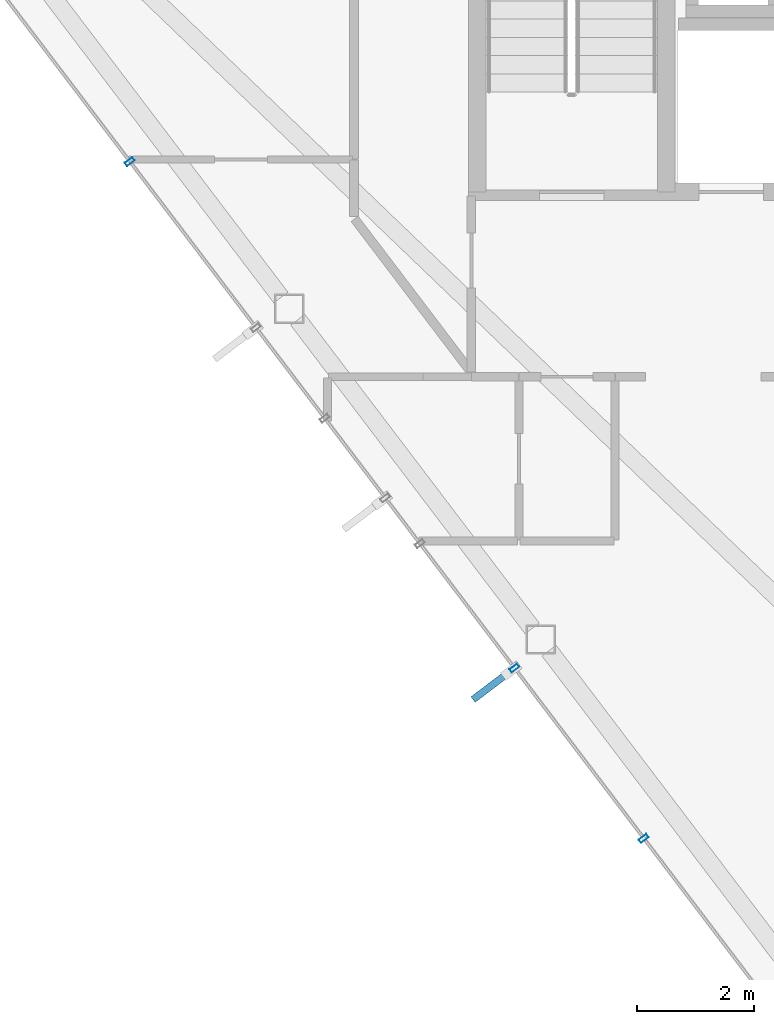
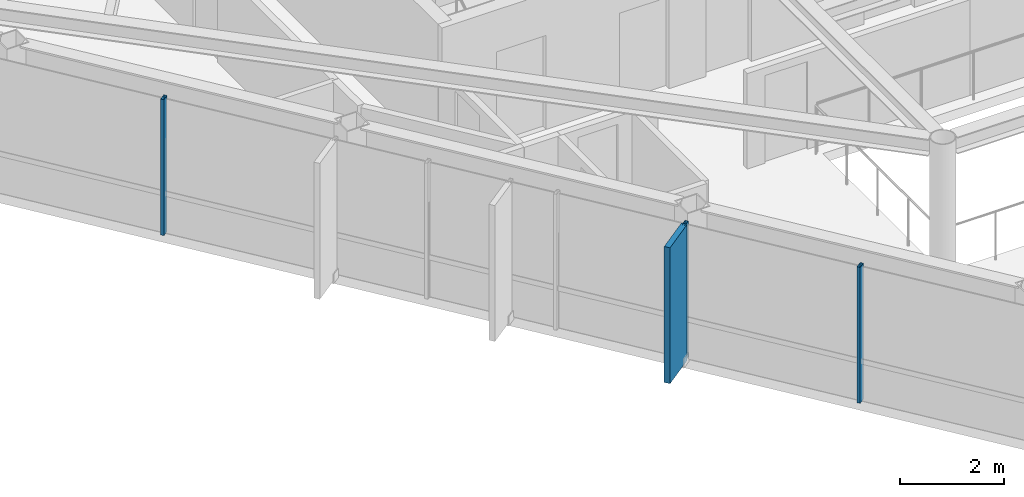
# One storey, part 2 of 24: 4 members, 1 element without a shape of its own.
"""IFC4 building model written with IfcOpenShell, lengths in metres."""

import ifcopenshell
import ifcopenshell.guid

model = None  # the IFC model being written
_history = None  # IfcOwnerHistory: only IFC2X3 demands one
_inside = {}  # id of a spatial element -> (the spatial element, [elements in it])
_under = {}  # id of a project, library or spatial element -> (it, [spatial elements below it])
_declared = {}  # id of a project -> (the project, [libraries it declares])
_typed = {}  # id of a type object -> (the type object, [elements of that type])
_made_of = {}  # id of a material, layer set ... -> (it, [elements and type objects made of it])


def new_model(schema):
    """Start an empty IFC model of exactly this schema.

    Asked for "IFC4X3", IfcOpenShell would pick the latest addendum, in which some entities
    have other attributes; the version numbers below select the first issue.
    IFC2X3 requires an IfcOwnerHistory on every rooted entity: one is made here for all.
    """
    global model, _history
    if schema == "IFC4X3":
        model = ifcopenshell.file(schema_version=(4, 3, 0, 0))
    else:
        model = ifcopenshell.file(schema=schema)
    _inside.clear()
    _under.clear()
    _declared.clear()
    _typed.clear()
    _made_of.clear()
    _history = None
    if model.schema == "IFC2X3":
        org = make("IfcOrganization", Name="unknown")
        user = make(
            "IfcPersonAndOrganization",
            ThePerson=make("IfcPerson", FamilyName="unknown"),
            TheOrganization=org,
        )
        app = make(
            "IfcApplication",
            ApplicationDeveloper=org,
            Version="unknown",
            ApplicationFullName="unknown",
            ApplicationIdentifier="unknown",
        )
        _history = make(
            "IfcOwnerHistory",
            OwningUser=user,
            OwningApplication=app,
            ChangeAction="ADDED",
            CreationDate=0,
        )
    return model


def make(cls, **values):
    """One entity of the class cls with the attributes given. An attribute that is None is left unset."""
    return model.create_entity(
        cls, **{name: value for name, value in values.items() if value is not None}
    )


def rooted(cls, **values):
    """An entity with a GlobalId (a new one), such as an element, a storey or a relation."""
    return make(cls, GlobalId=ifcopenshell.guid.new(), OwnerHistory=_history, **values)


def si_unit(unit_type, name, prefix=None):
    """IfcSIUnit, for example si_unit("LENGTHUNIT", "METRE", prefix="MILLI")."""
    return make("IfcSIUnit", UnitType=unit_type, Prefix=prefix, Name=name)


def assignment(units):
    """IfcUnitAssignment: the units of a project."""
    return None if units is None else make("IfcUnitAssignment", Units=units)


def point(xyz):
    """IfcCartesianPoint."""
    return None if xyz is None else make("IfcCartesianPoint", Coordinates=xyz)


def direction(xyz):
    """IfcDirection."""
    return None if xyz is None else make("IfcDirection", DirectionRatios=xyz)


def frame(location, z_axis=None, x_axis=None):
    """IfcAxis2Placement3D, a coordinate frame: its origin and axes. An axis left out is left unset."""
    return make(
        "IfcAxis2Placement3D",
        Location=point(location),
        Axis=direction(z_axis),
        RefDirection=direction(x_axis),
    )


def frame_2d(location, x_axis=None):
    """IfcAxis2Placement2D, a coordinate frame in the plane: its origin and x axis."""
    return make(
        "IfcAxis2Placement2D", Location=point(location), RefDirection=direction(x_axis)
    )


def origin():
    """The frame at (0, 0, 0) with its axes left unset."""
    return frame((0.0, 0.0, 0.0))


def origin_2d():
    """The frame at (0, 0) in the plane with its x axis left unset."""
    return frame_2d((0.0, 0.0))


def place(relative_to, where):
    """IfcLocalPlacement: puts the frame where relative to a parent placement (None: the world)."""
    return make(
        "IfcLocalPlacement", PlacementRelTo=relative_to, RelativePlacement=where
    )


def context(
    kind, dimensions, precision=None, world=None, true_north=None, identifier=None
):
    """IfcGeometricRepresentationContext, for example the 3D "Model" context."""
    return make(
        "IfcGeometricRepresentationContext",
        ContextIdentifier=identifier,
        ContextType=kind,
        CoordinateSpaceDimension=dimensions,
        Precision=precision,
        WorldCoordinateSystem=world,
        TrueNorth=true_north,
    )


def subcontext(parent, identifier, kind, view, scale=None):
    """IfcGeometricRepresentationSubContext, for example "Body" below "Model"."""
    return make(
        "IfcGeometricRepresentationSubContext",
        ContextIdentifier=identifier,
        ContextType=kind,
        ParentContext=parent,
        TargetScale=scale,
        TargetView=view,
    )


def project(units=None, contexts=None):
    """IfcProject with its units and contexts."""
    return rooted(
        "IfcProject",
        Name="project",
        RepresentationContexts=contexts,
        UnitsInContext=assignment(units),
    )


def spatial(cls, under=None, at=None, **own):
    """A site, building, storey or space (cls), placed at a placement, below another one or the project."""
    s = rooted(cls, ObjectPlacement=at, **own)
    if under is not None:
        _under.setdefault(under.id(), (under, []))[1].append(s)
    return s


def profile(cls, at=None, kind="AREA", **sizes):
    """A parametric profile (cls). Its sizes go by their IFC names, for example OverallWidth=200.0."""
    return make(cls, ProfileType=kind, Position=at, **sizes)


def rectangle(**sizes):
    """IfcRectangleProfileDef."""
    return profile("IfcRectangleProfileDef", **sizes)


def hollow_rectangle(**sizes):
    """IfcRectangleHollowProfileDef."""
    return profile("IfcRectangleHollowProfileDef", **sizes)


def extrude(swept, where, along, depth):
    """IfcExtrudedAreaSolid: the profile swept, set in the frame where, extruded along a direction by depth."""
    return make(
        "IfcExtrudedAreaSolid",
        SweptArea=swept,
        Position=where,
        ExtrudedDirection=direction(along),
        Depth=depth,
    )


def shape(context_of_items, identifier, shape_type, items):
    """IfcShapeRepresentation: the items that make up one representation, for example the "Body"."""
    return make(
        "IfcShapeRepresentation",
        ContextOfItems=context_of_items,
        RepresentationIdentifier=identifier,
        RepresentationType=shape_type,
        Items=items,
    )


def material(Name=None, Category=None):
    """IfcMaterial."""
    return make("IfcMaterial", Name=Name, Category=Category)


def layer(
    of_material, thickness, ventilated=None, Name=None, Category=None, Priority=None
):
    """IfcMaterialLayer: one layer of a wall or slab, of a material (None: an air gap)."""
    return make(
        "IfcMaterialLayer",
        Material=of_material,
        LayerThickness=thickness,
        IsVentilated=ventilated,
        Name=Name,
        Category=Category,
        Priority=Priority,
    )


def layer_set(layers, Name=None):
    """IfcMaterialLayerSet."""
    return make("IfcMaterialLayerSet", MaterialLayers=layers, LayerSetName=Name)


def material_profile(
    of_material, cross_section, Name=None, Category=None, Priority=None
):
    """IfcMaterialProfile: a cross section and its material."""
    return make(
        "IfcMaterialProfile",
        Name=Name,
        Material=of_material,
        Profile=cross_section,
        Priority=Priority,
        Category=Category,
    )


def profile_set(profiles, Name=None, composite=None):
    """IfcMaterialProfileSet."""
    return make(
        "IfcMaterialProfileSet",
        Name=Name,
        MaterialProfiles=profiles,
        CompositeProfile=composite,
    )


def made_of(thing, what):
    """Note that an element or type object is made of a material, layer set ...; save() writes the relation."""
    if what is not None:
        _made_of.setdefault(what.id(), (what, []))[1].append(thing)
    return thing


def type_object(cls, material=None, **own):
    """A type object (cls), such as IfcWallType, which elements share."""
    return made_of(rooted(cls, **own), material)


def element(
    cls,
    number,
    at=None,
    inside=None,
    cuts=None,
    type_object=None,
    material=None,
    context=None,
    identifier="Body",
    shape_type=None,
    held_by="IfcProductDefinitionShape",
    body=None,
    shapes=None,
    **own,
):
    """One element of the class cls, such as IfcWall. Its Tag is "e" and its number.

    at: its placement. inside: the storey or other place that contains it. cuts: it is an
    opening in that element (IfcRelVoidsElement). A single representation is given by context,
    identifier, shape_type and body (its items); several are given by shapes. held_by: the class
    of the entity that holds the representations. save() writes the other relations.
    """
    e = rooted(cls, Tag="e%d" % number, ObjectPlacement=at, **own)
    if body is not None:
        shapes = [shape(context, identifier, shape_type, body)]
    if shapes is not None:
        e.Representation = make(held_by, Representations=shapes)
    if inside is not None:
        _inside.setdefault(inside.id(), (inside, []))[1].append(e)
    if cuts is not None:
        rooted(
            "IfcRelVoidsElement", RelatingBuildingElement=cuts, RelatedOpeningElement=e
        )
    if type_object is not None:
        _typed.setdefault(type_object.id(), (type_object, []))[1].append(e)
    return made_of(e, material)


def aggregate(whole, parts):
    """IfcRelAggregates: a whole, such as a stair, and the parts it consists of."""
    return rooted("IfcRelAggregates", RelatingObject=whole, RelatedObjects=parts)


def save(model, path):
    """Write the relations noted so far, then the file.

    IfcRelAggregates (storeys below a building ...), IfcRelContainedInSpatialStructure (elements
    in a storey), IfcRelDefinesByType, IfcRelAssociatesMaterial and IfcRelDeclares: one each for
    every whole, place, type object, material and project.
    """
    for whole, parts in _under.values():
        aggregate(whole, parts)
    for where, things in _inside.values():
        rooted(
            "IfcRelContainedInSpatialStructure",
            RelatedElements=things,
            RelatingStructure=where,
        )
    for kind, things in _typed.values():
        rooted("IfcRelDefinesByType", RelatedObjects=things, RelatingType=kind)
    for what, things in _made_of.values():
        rooted("IfcRelAssociatesMaterial", RelatedObjects=things, RelatingMaterial=what)
    for by, libraries in _declared.values():
        rooted("IfcRelDeclares", RelatingContext=by, RelatedDefinitions=libraries)
    model.write(path)


model = new_model("IFC4")

# Units and contexts
model_context = context("Model", 3, precision=1e-05, world=origin(), true_north=direction((0.0, 1.0)))
body_context = subcontext(model_context, "Body", "Model", "MODEL_VIEW")
ifc_project = project(units=[si_unit("LENGTHUNIT", "METRE"), si_unit("AREAUNIT", "SQUARE_METRE"), si_unit("VOLUMEUNIT", "CUBIC_METRE"), si_unit("PLANEANGLEUNIT", "RADIAN"), si_unit("MASSUNIT", "GRAM", prefix="KILO")], contexts=[model_context])

# Site, building, storey
site_placement = place(None, origin())
site = spatial("IfcSite", under=ifc_project, at=site_placement, CompositionType="ELEMENT")
building_placement = place(site_placement, origin())
building = spatial("IfcBuilding", under=site, at=building_placement, Name="Zarrinselat Tower", CompositionType="ELEMENT")
storey_placement = place(building_placement, frame((0.0, 0.0, 272.0)))
storey = spatial("IfcBuildingStorey", under=building, at=storey_placement, Name="L69", CompositionType="ELEMENT", Elevation=272.0)

# Curtain wall, members
ifc_material_1 = material(Name="Extruded Aluminium Alloy EN AW-6063 T6", Category="aluminium")
ifc_layer = layer(ifc_material_1, 0.169921875)
ifc_layer_set = layer_set([ifc_layer], Name="Extruded Aluminium Alloy EN AW-6063 T6")
curtain_wall_type = type_object("IfcCurtainWallType", Name="CWS-RES", PredefinedType="NOTDEFINED", material=ifc_layer_set)
curtain_wall_placement = place(storey_placement, origin())
curtain_wall = element("IfcCurtainWall", 1, at=curtain_wall_placement, inside=storey, type_object=curtain_wall_type, Name="L69 Unitised Curtain Wall CW-L69-E03", PredefinedType="NOTDEFINED")
ifc_material_2 = material(Name="Extruded Aluminium Alloy EN AW-6063 T6", Category="aluminium")
ifc_material_profile_1 = material_profile(ifc_material_2, hollow_rectangle(XDim=0.070068359375, YDim=0.159912109375, WallThickness=0.00390625, at=origin_2d()), Name="RHS 160x70x4")
ifc_profile_set_1 = profile_set([ifc_material_profile_1], Name="Extruded Aluminium Alloy EN AW-6063 T6")
member_type_1 = type_object("IfcMemberType", Name="MEM-CW-MUL2", PredefinedType="MULLION", material=ifc_profile_set_1)
member_1_placement = place(storey_placement, frame((22.733154296875, 33.81396484375, 0.0), z_axis=(0.0, 0.0, 1.0), x_axis=(0.604787567266, -0.796386839721, 0.0)))
member_1 = element("IfcMember", 2, at=member_1_placement, type_object=member_type_1, Name="CW-L69-E03 Mullion 4", PredefinedType="MULLION", context=body_context, shape_type="SweptSolid", body=[
    extrude(hollow_rectangle(XDim=0.070068359375, YDim=0.159912109375, WallThickness=0.00390625, at=origin_2d()), origin(), (0.0, 0.0, 1.0), 3.179931640625),
])
member_2_placement = place(storey_placement, frame((29.28515625, 25.186279296875, 0.0), z_axis=(0.0, 0.0, 1.0), x_axis=(0.604787567266, -0.796386839721, 0.0)))
member_2 = element("IfcMember", 3, at=member_2_placement, type_object=member_type_1, Name="CW-L69-E03 Mullion 9", PredefinedType="MULLION", context=body_context, shape_type="SweptSolid", body=[
    extrude(hollow_rectangle(XDim=0.070068359375, YDim=0.159912109375, WallThickness=0.00390625, at=origin_2d()), origin(), (0.0, 0.0, 1.0), 3.179931640625),
])
member_3_placement = place(storey_placement, frame((31.48681640625, 22.287109375, 0.0), z_axis=(0.0, 0.0, 1.0), x_axis=(0.604787567266, -0.796386839721, 0.0)))
member_3 = element("IfcMember", 4, at=member_3_placement, type_object=member_type_1, Name="CW-L69-E03 Mullion 10", PredefinedType="MULLION", context=body_context, shape_type="SweptSolid", body=[
    extrude(hollow_rectangle(XDim=0.070068359375, YDim=0.159912109375, WallThickness=0.00390625, at=origin_2d()), origin(), (0.0, 0.0, 1.0), 3.179931640625),
])
ifc_material_3 = material(Name="Honed Cream Travertine Stone", Category="masonry")
ifc_material_profile_2 = material_profile(ifc_material_3, rectangle(XDim=0.1201171875, YDim=0.85009765625, at=origin_2d()), Name="FIN 850x120")
ifc_profile_set_2 = profile_set([ifc_material_profile_2], Name="Honed Cream Travertine Stone")
member_type_2 = type_object("IfcMemberType", Name="MEM-STONE-FIN", PredefinedType="USERDEFINED", material=ifc_profile_set_2)
member_4_placement = place(storey_placement, frame((28.918701171875, 24.908203125, 0.0), z_axis=(0.0, 0.0, 1.0), x_axis=(-0.604787567266, 0.796386839721, 0.0)))
member_4 = element("IfcMember", 5, at=member_4_placement, type_object=member_type_2, Name="L69 Stone Shading Fin CW-L69-E03-09", ObjectType="FIN", PredefinedType="USERDEFINED", context=body_context, shape_type="SweptSolid", body=[
    extrude(rectangle(XDim=0.1201171875, YDim=0.85009765625, at=origin_2d()), origin(), (0.0, 0.0, 1.0), 3.179931640625),
])
aggregate(curtain_wall, [member_1, member_2, member_4, member_3])

save(model, "model.ifc")
